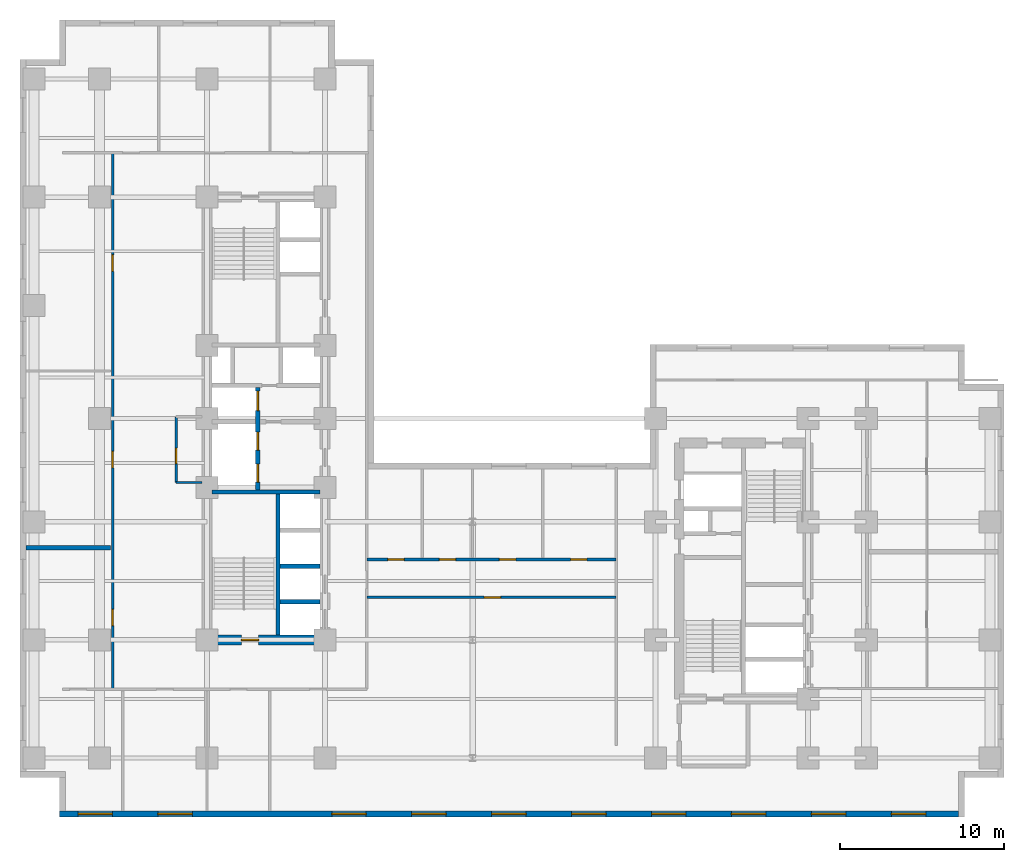
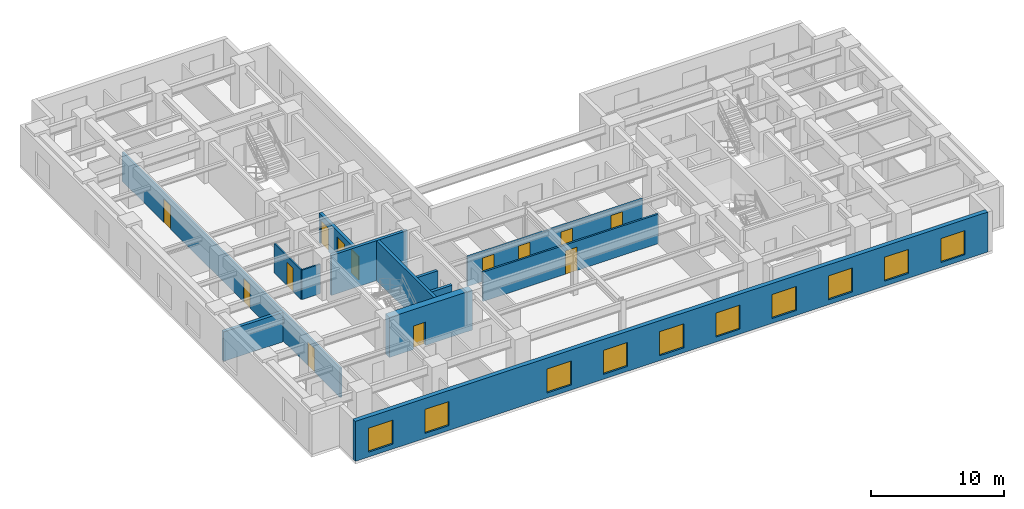
# One storey, part 3 of 9: 13 doors, 13 walls, 10 windows, 23 openings.
"""IFC4 building model written with IfcOpenShell, lengths in metres."""

from ifc_helpers import new_model, entity, si_unit, converted_unit, direction, frame, origin_with_axes, origin_2d_with_axis, place, context, subcontext, project, spatial, polyline, rectangle, outline, extrude, material, layer, layer_set, type_object, element, fill, save


model = new_model("IFC4")

# Units and contexts
model_context = context("Model", 3, precision=1e-05, world=origin_with_axes(), true_north=direction((0.0, 1.0)))
body_context = subcontext(model_context, "Body", "Model", "MODEL_VIEW")
ifc_project = project(units=[si_unit("LENGTHUNIT", "METRE"), si_unit("AREAUNIT", "SQUARE_METRE"), si_unit("VOLUMEUNIT", "CUBIC_METRE"), converted_unit("PLANEANGLEUNIT", "DEGREE", entity("IfcPlaneAngleMeasure", 0.017453292519943295), si_unit("PLANEANGLEUNIT", "RADIAN"), dimensions=[0, 0, 0, 0, 0, 0, 0]), si_unit("MASSUNIT", "GRAM", prefix="KILO"), si_unit("THERMODYNAMICTEMPERATUREUNIT", "KELVIN")], contexts=[model_context])

# Site, building, storey
site_placement = place(None, origin_with_axes())
site = spatial("IfcSite", under=ifc_project, at=site_placement, CompositionType="ELEMENT")
building_placement = place(site_placement, origin_with_axes())
building = spatial("IfcBuilding", under=site, at=building_placement, Name="Varnlund Millrace Tower", CompositionType="ELEMENT")
storey_placement = place(building_placement, frame((0.0, 0.0, 71.7), z_axis=(0.0, 0.0, 1.0), x_axis=(1.0, 0.0, 0.0)))
storey = spatial("IfcBuildingStorey", under=building, at=storey_placement, Name="L17", CompositionType="ELEMENT", Elevation=71.7)

# Wall, opening, door
ifc_material_1 = material(Name="Concrete C80/95", Category="concrete")
ifc_layer_1 = layer(ifc_material_1, 0.6, Name="Concrete C80/95")
ifc_layer_set_1 = layer_set([ifc_layer_1], Name="Concrete C80/95")
wall_type_1 = type_object("IfcWallType", Name="Type-CoreWall-Shear-600-C80", PredefinedType="SHEAR", material=ifc_layer_set_1)
wall_1_placement = place(storey_placement, frame((11.4, 10.8, 0.0), z_axis=(0.0, 0.0, 1.0), x_axis=(1.0, 0.0, 0.0)))
wall_1 = element("IfcWall", 1, at=wall_1_placement, inside=storey, type_object=wall_type_1, Name="Type-CoreWall-Shear-600-C80", PredefinedType="SHEAR", context=body_context, shape_type="SweptSolid", body=[
    extrude(outline(polyline([(0.0, -0.3), (7.2, -0.3), (7.2, 0.3), (0.0, 0.3), (0.0, -0.3)])), origin_with_axes(), (0.0, 0.0, 1.0), 3.66),
])
opening_1_placement = place(wall_1_placement, frame((2.625, 0.0, 0.0), z_axis=(0.0, 0.0, 1.0), x_axis=(1.0, 0.0, 0.0)))
opening_1 = element("IfcOpeningElement", 2, at=opening_1_placement, cuts=wall_1, Name="Opening L17:DR-STA1", PredefinedType="OPENING", context=body_context, shape_type="SweptSolid", body=[
    extrude(rectangle(XDim=1.05, YDim=0.62, at=origin_2d_with_axis()), origin_with_axes(), (0.0, 0.0, 1.0), 2.15),
])
ifc_material_2 = material(Name="Fire-rated hollow steel door", Category="steel")
door_type_1 = type_object("IfcDoorType", Name="Type-FireDoor-Stair-1050X2150", OperationType="NOTDEFINED", PredefinedType="DOOR", material=ifc_material_2)
door_1_placement = place(wall_1_placement, frame((2.625, 0.0, 0.0), z_axis=(0.0, 0.0, 1.0), x_axis=(1.0, 0.0, 0.0)))
door_1 = element("IfcDoor", 3, at=door_1_placement, inside=storey, type_object=door_type_1, Name="Type-FireDoor-Stair-1050X2150", OperationType="SINGLE_SWING_LEFT", OverallHeight=2.15, OverallWidth=1.05, PredefinedType="DOOR", context=body_context, shape_type="SweptSolid", body=[
    extrude(rectangle(XDim=1.05, YDim=0.09, at=origin_2d_with_axis()), origin_with_axes(), (0.0, 0.0, 1.0), 2.15),
])
fill(opening_1, door_1)

# Wall, openings, windows
ifc_material_3 = material(Name="Precast concrete C50/60", Category="concrete")
ifc_layer_2 = layer(ifc_material_3, 0.38, Name="Precast concrete C50/60")
ifc_layer_set_2 = layer_set([ifc_layer_2], Name="Precast concrete C50/60")
wall_type_2 = type_object("IfcWallType", Name="Type-ExtWall-Precast-Tube-380", PredefinedType="SOLIDWALL", material=ifc_layer_set_2)
wall_2_placement = place(storey_placement, frame((57.22, 0.19, 0.0), z_axis=(0.0, 0.0, 1.0), x_axis=(-1.0, 0.0, 0.0)))
wall_2 = element("IfcWall", 4, at=wall_2_placement, inside=storey, type_object=wall_type_2, Name="Type-ExtWall-Precast-Tube-380", PredefinedType="SOLIDWALL", context=body_context, shape_type="SweptSolid", body=[
    extrude(outline(polyline([(0.0, -0.19), (54.82, -0.19), (54.82, 0.19), (0.0, 0.19), (0.0, -0.19)])), origin_with_axes(), (0.0, 0.0, 1.0), 3.66),
])
opening_2_placement = place(wall_2_placement, frame((3.037, 0.0, 0.45), z_axis=(0.0, 0.0, 1.0), x_axis=(1.0, 0.0, 0.0)))
opening_2 = element("IfcOpeningElement", 5, at=opening_2_placement, cuts=wall_2, Name="Opening L17:WN-06", PredefinedType="OPENING", context=body_context, shape_type="SweptSolid", body=[
    extrude(rectangle(XDim=2.1, YDim=0.4, at=origin_2d_with_axis()), origin_with_axes(), (0.0, 0.0, 1.0), 2.2),
])
opening_3_placement = place(wall_2_placement, frame((7.912, 0.0, 0.45), z_axis=(0.0, 0.0, 1.0), x_axis=(1.0, 0.0, 0.0)))
opening_3 = element("IfcOpeningElement", 6, at=opening_3_placement, cuts=wall_2, Name="Opening L17:WN-07", PredefinedType="OPENING", context=body_context, shape_type="SweptSolid", body=[
    extrude(rectangle(XDim=2.1, YDim=0.4, at=origin_2d_with_axis()), origin_with_axes(), (0.0, 0.0, 1.0), 2.2),
])
opening_4_placement = place(wall_2_placement, frame((12.786, 0.0, 0.45), z_axis=(0.0, 0.0, 1.0), x_axis=(1.0, 0.0, 0.0)))
opening_4 = element("IfcOpeningElement", 7, at=opening_4_placement, cuts=wall_2, Name="Opening L17:WN-08", PredefinedType="OPENING", context=body_context, shape_type="SweptSolid", body=[
    extrude(rectangle(XDim=2.1, YDim=0.4, at=origin_2d_with_axis()), origin_with_axes(), (0.0, 0.0, 1.0), 2.2),
])
opening_5_placement = place(wall_2_placement, frame((17.661, 0.0, 0.45), z_axis=(0.0, 0.0, 1.0), x_axis=(1.0, 0.0, 0.0)))
opening_5 = element("IfcOpeningElement", 8, at=opening_5_placement, cuts=wall_2, Name="Opening L17:WN-09", PredefinedType="OPENING", context=body_context, shape_type="SweptSolid", body=[
    extrude(rectangle(XDim=2.1, YDim=0.4, at=origin_2d_with_axis()), origin_with_axes(), (0.0, 0.0, 1.0), 2.2),
])
opening_6_placement = place(wall_2_placement, frame((22.535, 0.0, 0.45), z_axis=(0.0, 0.0, 1.0), x_axis=(1.0, 0.0, 0.0)))
opening_6 = element("IfcOpeningElement", 9, at=opening_6_placement, cuts=wall_2, Name="Opening L17:WN-10", PredefinedType="OPENING", context=body_context, shape_type="SweptSolid", body=[
    extrude(rectangle(XDim=2.1, YDim=0.4, at=origin_2d_with_axis()), origin_with_axes(), (0.0, 0.0, 1.0), 2.2),
])
opening_7_placement = place(wall_2_placement, frame((27.41, 0.0, 0.45), z_axis=(0.0, 0.0, 1.0), x_axis=(1.0, 0.0, 0.0)))
opening_7 = element("IfcOpeningElement", 10, at=opening_7_placement, cuts=wall_2, Name="Opening L17:WN-11", PredefinedType="OPENING", context=body_context, shape_type="SweptSolid", body=[
    extrude(rectangle(XDim=2.1, YDim=0.4, at=origin_2d_with_axis()), origin_with_axes(), (0.0, 0.0, 1.0), 2.2),
])
opening_8_placement = place(wall_2_placement, frame((32.285, 0.0, 0.45), z_axis=(0.0, 0.0, 1.0), x_axis=(1.0, 0.0, 0.0)))
opening_8 = element("IfcOpeningElement", 11, at=opening_8_placement, cuts=wall_2, Name="Opening L17:WN-12", PredefinedType="OPENING", context=body_context, shape_type="SweptSolid", body=[
    extrude(rectangle(XDim=2.1, YDim=0.4, at=origin_2d_with_axis()), origin_with_axes(), (0.0, 0.0, 1.0), 2.2),
])
opening_9_placement = place(wall_2_placement, frame((37.159, 0.0, 0.45), z_axis=(0.0, 0.0, 1.0), x_axis=(1.0, 0.0, 0.0)))
opening_9 = element("IfcOpeningElement", 12, at=opening_9_placement, cuts=wall_2, Name="Opening L17:WN-13", PredefinedType="OPENING", context=body_context, shape_type="SweptSolid", body=[
    extrude(rectangle(XDim=2.1, YDim=0.4, at=origin_2d_with_axis()), origin_with_axes(), (0.0, 0.0, 1.0), 2.2),
])
opening_10_placement = place(wall_2_placement, frame((47.758, 0.0, 0.45), z_axis=(0.0, 0.0, 1.0), x_axis=(1.0, 0.0, 0.0)))
opening_10 = element("IfcOpeningElement", 13, at=opening_10_placement, cuts=wall_2, Name="Opening L17:WN-14", PredefinedType="OPENING", context=body_context, shape_type="SweptSolid", body=[
    extrude(rectangle(XDim=2.1, YDim=0.4, at=origin_2d_with_axis()), origin_with_axes(), (0.0, 0.0, 1.0), 2.2),
])
opening_11_placement = place(wall_2_placement, frame((52.633, 0.0, 0.45), z_axis=(0.0, 0.0, 1.0), x_axis=(1.0, 0.0, 0.0)))
opening_11 = element("IfcOpeningElement", 14, at=opening_11_placement, cuts=wall_2, Name="Opening L17:WN-15", PredefinedType="OPENING", context=body_context, shape_type="SweptSolid", body=[
    extrude(rectangle(XDim=2.1, YDim=0.4, at=origin_2d_with_axis()), origin_with_axes(), (0.0, 0.0, 1.0), 2.2),
])
ifc_material_4 = material(Name="Argon low-e triple glazing in thermally broken bronze frame", Category="glass")
window_type = type_object("IfcWindowType", Name="Type-Window-Punched-2100X2200", PartitioningType="SINGLE_PANEL", PredefinedType="WINDOW", material=ifc_material_4)
window_1_placement = place(wall_2_placement, frame((3.037, 0.0, 0.45), z_axis=(0.0, 0.0, 1.0), x_axis=(1.0, 0.0, 0.0)))
window_1 = element("IfcWindow", 15, at=window_1_placement, inside=storey, type_object=window_type, Name="Type-Window-Punched-2100X2200", OverallHeight=2.2, OverallWidth=2.1, PredefinedType="WINDOW", context=body_context, shape_type="SweptSolid", body=[
    extrude(rectangle(XDim=2.1, YDim=0.09, at=origin_2d_with_axis()), origin_with_axes(), (0.0, 0.0, 1.0), 2.2),
])
fill(opening_2, window_1)
window_2_placement = place(wall_2_placement, frame((7.912, 0.0, 0.45), z_axis=(0.0, 0.0, 1.0), x_axis=(1.0, 0.0, 0.0)))
window_2 = element("IfcWindow", 16, at=window_2_placement, inside=storey, type_object=window_type, Name="Type-Window-Punched-2100X2200", OverallHeight=2.2, OverallWidth=2.1, PredefinedType="WINDOW", context=body_context, shape_type="SweptSolid", body=[
    extrude(rectangle(XDim=2.1, YDim=0.09, at=origin_2d_with_axis()), origin_with_axes(), (0.0, 0.0, 1.0), 2.2),
])
fill(opening_3, window_2)
window_3_placement = place(wall_2_placement, frame((12.786, 0.0, 0.45), z_axis=(0.0, 0.0, 1.0), x_axis=(1.0, 0.0, 0.0)))
window_3 = element("IfcWindow", 17, at=window_3_placement, inside=storey, type_object=window_type, Name="Type-Window-Punched-2100X2200", OverallHeight=2.2, OverallWidth=2.1, PredefinedType="WINDOW", context=body_context, shape_type="SweptSolid", body=[
    extrude(rectangle(XDim=2.1, YDim=0.09, at=origin_2d_with_axis()), origin_with_axes(), (0.0, 0.0, 1.0), 2.2),
])
fill(opening_4, window_3)
window_4_placement = place(wall_2_placement, frame((17.661, 0.0, 0.45), z_axis=(0.0, 0.0, 1.0), x_axis=(1.0, 0.0, 0.0)))
window_4 = element("IfcWindow", 18, at=window_4_placement, inside=storey, type_object=window_type, Name="Type-Window-Punched-2100X2200", OverallHeight=2.2, OverallWidth=2.1, PredefinedType="WINDOW", context=body_context, shape_type="SweptSolid", body=[
    extrude(rectangle(XDim=2.1, YDim=0.09, at=origin_2d_with_axis()), origin_with_axes(), (0.0, 0.0, 1.0), 2.2),
])
fill(opening_5, window_4)
window_5_placement = place(wall_2_placement, frame((22.535, 0.0, 0.45), z_axis=(0.0, 0.0, 1.0), x_axis=(1.0, 0.0, 0.0)))
window_5 = element("IfcWindow", 19, at=window_5_placement, inside=storey, type_object=window_type, Name="Type-Window-Punched-2100X2200", OverallHeight=2.2, OverallWidth=2.1, PredefinedType="WINDOW", context=body_context, shape_type="SweptSolid", body=[
    extrude(rectangle(XDim=2.1, YDim=0.09, at=origin_2d_with_axis()), origin_with_axes(), (0.0, 0.0, 1.0), 2.2),
])
fill(opening_6, window_5)
window_6_placement = place(wall_2_placement, frame((27.41, 0.0, 0.45), z_axis=(0.0, 0.0, 1.0), x_axis=(1.0, 0.0, 0.0)))
window_6 = element("IfcWindow", 20, at=window_6_placement, inside=storey, type_object=window_type, Name="Type-Window-Punched-2100X2200", OverallHeight=2.2, OverallWidth=2.1, PredefinedType="WINDOW", context=body_context, shape_type="SweptSolid", body=[
    extrude(rectangle(XDim=2.1, YDim=0.09, at=origin_2d_with_axis()), origin_with_axes(), (0.0, 0.0, 1.0), 2.2),
])
fill(opening_7, window_6)
window_7_placement = place(wall_2_placement, frame((32.285, 0.0, 0.45), z_axis=(0.0, 0.0, 1.0), x_axis=(1.0, 0.0, 0.0)))
window_7 = element("IfcWindow", 21, at=window_7_placement, inside=storey, type_object=window_type, Name="Type-Window-Punched-2100X2200", OverallHeight=2.2, OverallWidth=2.1, PredefinedType="WINDOW", context=body_context, shape_type="SweptSolid", body=[
    extrude(rectangle(XDim=2.1, YDim=0.09, at=origin_2d_with_axis()), origin_with_axes(), (0.0, 0.0, 1.0), 2.2),
])
fill(opening_8, window_7)
window_8_placement = place(wall_2_placement, frame((37.159, 0.0, 0.45), z_axis=(0.0, 0.0, 1.0), x_axis=(1.0, 0.0, 0.0)))
window_8 = element("IfcWindow", 22, at=window_8_placement, inside=storey, type_object=window_type, Name="Type-Window-Punched-2100X2200", OverallHeight=2.2, OverallWidth=2.1, PredefinedType="WINDOW", context=body_context, shape_type="SweptSolid", body=[
    extrude(rectangle(XDim=2.1, YDim=0.09, at=origin_2d_with_axis()), origin_with_axes(), (0.0, 0.0, 1.0), 2.2),
])
fill(opening_9, window_8)
window_9_placement = place(wall_2_placement, frame((47.758, 0.0, 0.45), z_axis=(0.0, 0.0, 1.0), x_axis=(1.0, 0.0, 0.0)))
window_9 = element("IfcWindow", 23, at=window_9_placement, inside=storey, type_object=window_type, Name="Type-Window-Punched-2100X2200", OverallHeight=2.2, OverallWidth=2.1, PredefinedType="WINDOW", context=body_context, shape_type="SweptSolid", body=[
    extrude(rectangle(XDim=2.1, YDim=0.09, at=origin_2d_with_axis()), origin_with_axes(), (0.0, 0.0, 1.0), 2.2),
])
fill(opening_10, window_9)
window_10_placement = place(wall_2_placement, frame((52.633, 0.0, 0.45), z_axis=(0.0, 0.0, 1.0), x_axis=(1.0, 0.0, 0.0)))
window_10 = element("IfcWindow", 24, at=window_10_placement, inside=storey, type_object=window_type, Name="Type-Window-Punched-2100X2200", OverallHeight=2.2, OverallWidth=2.1, PredefinedType="WINDOW", context=body_context, shape_type="SweptSolid", body=[
    extrude(rectangle(XDim=2.1, YDim=0.09, at=origin_2d_with_axis()), origin_with_axes(), (0.0, 0.0, 1.0), 2.2),
])
fill(opening_11, window_10)

# Wall
ifc_material_5 = material(Name="Double-stud STC-60 conference acoustic partition", Category="gypsum")
ifc_layer_3 = layer(ifc_material_5, 0.28, Name="Double-stud STC-60 conference acoustic partition")
ifc_layer_set_3 = layer_set([ifc_layer_3], Name="Double-stud STC-60 conference acoustic partition")
wall_type_3 = type_object("IfcWallType", Name="Type-Partition-Acoustic-280", PredefinedType="PARTITIONING", material=ifc_layer_set_3)
wall_3_placement = place(storey_placement, frame((0.375, 16.408, 0.0), z_axis=(0.0, 0.0, 1.0), x_axis=(1.0, 0.0, 0.0)))
element("IfcWall", 25, at=wall_3_placement, inside=storey, type_object=wall_type_3, Name="Type-Partition-Acoustic-280", PredefinedType="PARTITIONING", context=body_context, shape_type="SweptSolid", body=[
    extrude(outline(polyline([(0.0, -0.14), (5.155, -0.14), (5.155, 0.14), (0.0, 0.14), (0.0, -0.14)])), origin_with_axes(), (0.0, 0.0, 1.0), 2.7),
])

# Wall, openings, doors
ifc_material_6 = material(Name="Fire-rated gypsum board on cold-formed steel framing", Category="steel")
ifc_layer_4 = layer(ifc_material_6, 0.16, Name="Fire-rated gypsum board on cold-formed steel framing")
ifc_layer_set_4 = layer_set([ifc_layer_4], Name="Fire-rated gypsum board on cold-formed steel framing")
wall_type_4 = type_object("IfcWallType", Name="Type-Partition-Corridor-160", PredefinedType="PARTITIONING", material=ifc_layer_set_4)
wall_4_placement = place(storey_placement, frame((5.65, 7.8, 0.0), z_axis=(0.0, 0.0, 1.0), x_axis=(0.0, 1.0, 0.0)))
wall_4 = element("IfcWall", 26, at=wall_4_placement, inside=storey, type_object=wall_type_4, Name="Type-Partition-Corridor-160", PredefinedType="PARTITIONING", context=body_context, shape_type="SweptSolid", body=[
    extrude(outline(polyline([(0.0, -0.08), (32.7, -0.08), (32.7, 0.08), (0.0, 0.08), (0.0, -0.08)])), origin_with_axes(), (0.0, 0.0, 1.0), 2.7),
])
opening_12_placement = place(wall_4_placement, frame((4.369, 0.0, 0.0), z_axis=(0.0, 0.0, 1.0), x_axis=(1.0, 0.0, 0.0)))
opening_12 = element("IfcOpeningElement", 27, at=opening_12_placement, cuts=wall_4, Name="Opening L17:DR-W-01", PredefinedType="OPENING", context=body_context, shape_type="SweptSolid", body=[
    extrude(rectangle(XDim=1.0, YDim=0.18, at=origin_2d_with_axis()), origin_with_axes(), (0.0, 0.0, 1.0), 2.15),
])
opening_13_placement = place(wall_4_placement, frame((13.998, 0.0, 0.0), z_axis=(0.0, 0.0, 1.0), x_axis=(1.0, 0.0, 0.0)))
opening_13 = element("IfcOpeningElement", 28, at=opening_13_placement, cuts=wall_4, Name="Opening L17:DR-W-02", PredefinedType="OPENING", context=body_context, shape_type="SweptSolid", body=[
    extrude(rectangle(XDim=1.0, YDim=0.18, at=origin_2d_with_axis()), origin_with_axes(), (0.0, 0.0, 1.0), 2.15),
])
opening_14_placement = place(wall_4_placement, frame((25.979, 0.0, 0.0), z_axis=(0.0, 0.0, 1.0), x_axis=(1.0, 0.0, 0.0)))
opening_14 = element("IfcOpeningElement", 29, at=opening_14_placement, cuts=wall_4, Name="Opening L17:DR-W-03", PredefinedType="OPENING", context=body_context, shape_type="SweptSolid", body=[
    extrude(rectangle(XDim=1.0, YDim=0.18, at=origin_2d_with_axis()), origin_with_axes(), (0.0, 0.0, 1.0), 2.15),
])
ifc_material_7 = material(Name="Solid-core white oak and bronze frame door")
door_type_2 = type_object("IfcDoorType", Name="Type-IntDoor-Office-1000X2150", OperationType="NOTDEFINED", PredefinedType="DOOR", material=ifc_material_7)
door_2_placement = place(wall_4_placement, frame((4.369, 0.0, 0.0), z_axis=(0.0, 0.0, 1.0), x_axis=(1.0, 0.0, 0.0)))
door_2 = element("IfcDoor", 30, at=door_2_placement, inside=storey, type_object=door_type_2, Name="Type-IntDoor-Office-1000X2150", OperationType="SINGLE_SWING_LEFT", OverallHeight=2.15, OverallWidth=1.0, PredefinedType="DOOR", context=body_context, shape_type="SweptSolid", body=[
    extrude(rectangle(XDim=1.0, YDim=0.09, at=origin_2d_with_axis()), origin_with_axes(), (0.0, 0.0, 1.0), 2.15),
])
fill(opening_12, door_2)
door_3_placement = place(wall_4_placement, frame((13.998, 0.0, 0.0), z_axis=(0.0, 0.0, 1.0), x_axis=(1.0, 0.0, 0.0)))
door_3 = element("IfcDoor", 31, at=door_3_placement, inside=storey, type_object=door_type_2, Name="Type-IntDoor-Office-1000X2150", OperationType="SINGLE_SWING_RIGHT", OverallHeight=2.15, OverallWidth=1.0, PredefinedType="DOOR", context=body_context, shape_type="SweptSolid", body=[
    extrude(rectangle(XDim=1.0, YDim=0.09, at=origin_2d_with_axis()), origin_with_axes(), (0.0, 0.0, 1.0), 2.15),
])
fill(opening_13, door_3)
door_4_placement = place(wall_4_placement, frame((25.979, 0.0, 0.0), z_axis=(0.0, 0.0, 1.0), x_axis=(1.0, 0.0, 0.0)))
door_4 = element("IfcDoor", 32, at=door_4_placement, inside=storey, type_object=door_type_2, Name="Type-IntDoor-Office-1000X2150", OperationType="SINGLE_SWING_LEFT", OverallHeight=2.15, OverallWidth=1.0, PredefinedType="DOOR", context=body_context, shape_type="SweptSolid", body=[
    extrude(rectangle(XDim=1.0, YDim=0.09, at=origin_2d_with_axis()), origin_with_axes(), (0.0, 0.0, 1.0), 2.15),
])
fill(opening_14, door_4)

# Wall, opening, door
wall_5_placement = place(storey_placement, frame((21.15, 13.4, 0.0), z_axis=(0.0, 0.0, 1.0), x_axis=(1.0, 0.0, 0.0)))
wall_5 = element("IfcWall", 33, at=wall_5_placement, inside=storey, type_object=wall_type_4, Name="Type-Partition-Corridor-160", PredefinedType="PARTITIONING", context=body_context, shape_type="SweptSolid", body=[
    extrude(outline(polyline([(0.0, -0.08), (15.2, -0.08), (15.2, 0.08), (0.0, 0.08), (0.0, -0.08)])), origin_with_axes(), (0.0, 0.0, 1.0), 2.7),
])
opening_15_placement = place(wall_5_placement, frame((7.65, 0.0, 0.0), z_axis=(0.0, 0.0, 1.0), x_axis=(1.0, 0.0, 0.0)))
opening_15 = element("IfcOpeningElement", 34, at=opening_15_placement, cuts=wall_5, Name="Opening L17:DR-KNS-01", PredefinedType="OPENING", context=body_context, shape_type="SweptSolid", body=[
    extrude(rectangle(XDim=1.0, YDim=0.18, at=origin_2d_with_axis()), origin_with_axes(), (0.0, 0.0, 1.0), 2.15),
])
door_5_placement = place(wall_5_placement, frame((7.65, 0.0, 0.0), z_axis=(0.0, 0.0, 1.0), x_axis=(1.0, 0.0, 0.0)))
door_5 = element("IfcDoor", 35, at=door_5_placement, inside=storey, type_object=door_type_2, Name="Type-IntDoor-Office-1000X2150", OperationType="SINGLE_SWING_LEFT", OverallHeight=2.15, OverallWidth=1.0, PredefinedType="DOOR", context=body_context, shape_type="SweptSolid", body=[
    extrude(rectangle(XDim=1.0, YDim=0.09, at=origin_2d_with_axis()), origin_with_axes(), (0.0, 0.0, 1.0), 2.15),
])
fill(opening_15, door_5)

# Wall, openings, doors
wall_6_placement = place(storey_placement, frame((21.15, 15.7, 0.0), z_axis=(0.0, 0.0, 1.0), x_axis=(1.0, 0.0, 0.0)))
wall_6 = element("IfcWall", 36, at=wall_6_placement, inside=storey, type_object=wall_type_4, Name="Type-Partition-Corridor-160", PredefinedType="PARTITIONING", context=body_context, shape_type="SweptSolid", body=[
    extrude(outline(polyline([(0.0, -0.08), (15.2, -0.08), (15.2, 0.08), (0.0, 0.08), (0.0, -0.08)])), origin_with_axes(), (0.0, 0.0, 1.0), 2.7),
])
opening_16_placement = place(wall_6_placement, frame((1.7795, 0.0, 0.0), z_axis=(0.0, 0.0, 1.0), x_axis=(1.0, 0.0, 0.0)))
opening_16 = element("IfcOpeningElement", 37, at=opening_16_placement, cuts=wall_6, Name="Opening L17:DR-KN-01", PredefinedType="OPENING", context=body_context, shape_type="SweptSolid", body=[
    extrude(rectangle(XDim=1.0, YDim=0.18, at=origin_2d_with_axis()), origin_with_axes(), (0.0, 0.0, 1.0), 2.15),
])
opening_17_placement = place(wall_6_placement, frame((4.9145, 0.0, 0.0), z_axis=(0.0, 0.0, 1.0), x_axis=(1.0, 0.0, 0.0)))
opening_17 = element("IfcOpeningElement", 38, at=opening_17_placement, cuts=wall_6, Name="Opening L17:DR-KN-02", PredefinedType="OPENING", context=body_context, shape_type="SweptSolid", body=[
    extrude(rectangle(XDim=1.0, YDim=0.18, at=origin_2d_with_axis()), origin_with_axes(), (0.0, 0.0, 1.0), 2.15),
])
opening_18_placement = place(wall_6_placement, frame((8.5825, 0.0, 0.0), z_axis=(0.0, 0.0, 1.0), x_axis=(1.0, 0.0, 0.0)))
opening_18 = element("IfcOpeningElement", 39, at=opening_18_placement, cuts=wall_6, Name="Opening L17:DR-KN-03", PredefinedType="OPENING", context=body_context, shape_type="SweptSolid", body=[
    extrude(rectangle(XDim=1.0, YDim=0.18, at=origin_2d_with_axis()), origin_with_axes(), (0.0, 0.0, 1.0), 2.15),
])
opening_19_placement = place(wall_6_placement, frame((12.9175, 0.0, 0.0), z_axis=(0.0, 0.0, 1.0), x_axis=(1.0, 0.0, 0.0)))
opening_19 = element("IfcOpeningElement", 40, at=opening_19_placement, cuts=wall_6, Name="Opening L17:DR-KN-04", PredefinedType="OPENING", context=body_context, shape_type="SweptSolid", body=[
    extrude(rectangle(XDim=1.0, YDim=0.18, at=origin_2d_with_axis()), origin_with_axes(), (0.0, 0.0, 1.0), 2.15),
])
door_6_placement = place(wall_6_placement, frame((1.7795, 0.0, 0.0), z_axis=(0.0, 0.0, 1.0), x_axis=(1.0, 0.0, 0.0)))
door_6 = element("IfcDoor", 41, at=door_6_placement, inside=storey, type_object=door_type_2, Name="Type-IntDoor-Office-1000X2150", OperationType="SINGLE_SWING_LEFT", OverallHeight=2.15, OverallWidth=1.0, PredefinedType="DOOR", context=body_context, shape_type="SweptSolid", body=[
    extrude(rectangle(XDim=1.0, YDim=0.09, at=origin_2d_with_axis()), origin_with_axes(), (0.0, 0.0, 1.0), 2.15),
])
fill(opening_16, door_6)
door_7_placement = place(wall_6_placement, frame((4.9145, 0.0, 0.0), z_axis=(0.0, 0.0, 1.0), x_axis=(1.0, 0.0, 0.0)))
door_7 = element("IfcDoor", 42, at=door_7_placement, inside=storey, type_object=door_type_2, Name="Type-IntDoor-Office-1000X2150", OperationType="SINGLE_SWING_RIGHT", OverallHeight=2.15, OverallWidth=1.0, PredefinedType="DOOR", context=body_context, shape_type="SweptSolid", body=[
    extrude(rectangle(XDim=1.0, YDim=0.09, at=origin_2d_with_axis()), origin_with_axes(), (0.0, 0.0, 1.0), 2.15),
])
fill(opening_17, door_7)
door_8_placement = place(wall_6_placement, frame((8.5825, 0.0, 0.0), z_axis=(0.0, 0.0, 1.0), x_axis=(1.0, 0.0, 0.0)))
door_8 = element("IfcDoor", 43, at=door_8_placement, inside=storey, type_object=door_type_2, Name="Type-IntDoor-Office-1000X2150", OperationType="SINGLE_SWING_LEFT", OverallHeight=2.15, OverallWidth=1.0, PredefinedType="DOOR", context=body_context, shape_type="SweptSolid", body=[
    extrude(rectangle(XDim=1.0, YDim=0.09, at=origin_2d_with_axis()), origin_with_axes(), (0.0, 0.0, 1.0), 2.15),
])
fill(opening_18, door_8)
door_9_placement = place(wall_6_placement, frame((12.9175, 0.0, 0.0), z_axis=(0.0, 0.0, 1.0), x_axis=(1.0, 0.0, 0.0)))
door_9 = element("IfcDoor", 44, at=door_9_placement, inside=storey, type_object=door_type_2, Name="Type-IntDoor-Office-1000X2150", OperationType="SINGLE_SWING_RIGHT", OverallHeight=2.15, OverallWidth=1.0, PredefinedType="DOOR", context=body_context, shape_type="SweptSolid", body=[
    extrude(rectangle(XDim=1.0, YDim=0.09, at=origin_2d_with_axis()), origin_with_axes(), (0.0, 0.0, 1.0), 2.15),
])
fill(opening_19, door_9)

# Wall, opening, door
ifc_material_8 = material(Name="Moisture-resistant gypsum restroom partition", Category="gypsum")
ifc_layer_5 = layer(ifc_material_8, 0.14, Name="Moisture-resistant gypsum restroom partition")
ifc_layer_set_5 = layer_set([ifc_layer_5], Name="Moisture-resistant gypsum restroom partition")
wall_type_5 = type_object("IfcWallType", Name="Type-Partition-Wet-140", PredefinedType="PARTITIONING", material=ifc_layer_set_5)
wall_7_placement = place(storey_placement, frame((9.52, 20.4, 0.0), z_axis=(0.0, 0.0, 1.0), x_axis=(0.0, 1.0, 0.0)))
wall_7 = element("IfcWall", 45, at=wall_7_placement, inside=storey, type_object=wall_type_5, Name="Type-Partition-Wet-140", PredefinedType="PARTITIONING", context=body_context, shape_type="SweptSolid", body=[
    extrude(outline(polyline([(0.0, -0.07), (4.0, -0.07), (4.0, 0.07), (0.0, 0.07), (0.0, -0.07)])), origin_with_axes(), (0.0, 0.0, 1.0), 2.7),
])
opening_20_placement = place(wall_7_placement, frame((1.625, 0.0, 0.0), z_axis=(0.0, 0.0, 1.0), x_axis=(1.0, 0.0, 0.0)))
opening_20 = element("IfcOpeningElement", 46, at=opening_20_placement, cuts=wall_7, Name="Opening L17:DR-CA-WCW", PredefinedType="OPENING", context=body_context, shape_type="SweptSolid", body=[
    extrude(rectangle(XDim=0.95, YDim=0.16, at=origin_2d_with_axis()), origin_with_axes(), (0.0, 0.0, 1.0), 2.15),
])
ifc_material_9 = material(Name="Solid-core acoustic office door")
door_type_3 = type_object("IfcDoorType", Name="Type-IntDoor-Tenant-950X2150", OperationType="NOTDEFINED", PredefinedType="DOOR", material=ifc_material_9)
door_10_placement = place(wall_7_placement, frame((1.625, 0.0, 0.0), z_axis=(0.0, 0.0, 1.0), x_axis=(1.0, 0.0, 0.0)))
door_10 = element("IfcDoor", 47, at=door_10_placement, inside=storey, type_object=door_type_3, Name="Type-IntDoor-Tenant-950X2150", OperationType="SINGLE_SWING_LEFT", OverallHeight=2.15, OverallWidth=0.95, PredefinedType="DOOR", context=body_context, shape_type="SweptSolid", body=[
    extrude(rectangle(XDim=0.95, YDim=0.084, at=origin_2d_with_axis()), origin_with_axes(), (0.0, 0.0, 1.0), 2.15),
])
fill(opening_20, door_10)

# Wall
wall_8_placement = place(storey_placement, frame((9.52, 20.4, 0.0), z_axis=(0.0, 0.0, 1.0), x_axis=(1.0, 0.0, 0.0)))
element("IfcWall", 48, at=wall_8_placement, inside=storey, type_object=wall_type_5, Name="Type-Partition-Wet-140", PredefinedType="PARTITIONING", context=body_context, shape_type="SweptSolid", body=[
    extrude(outline(polyline([(0.0, -0.07), (1.58, -0.07), (1.58, 0.07), (0.0, 0.07), (0.0, -0.07)])), origin_with_axes(), (0.0, 0.0, 1.0), 2.7),
])

# Wall, openings, doors
ifc_material_10 = material(Name="Concrete C60/75", Category="concrete")
ifc_layer_6 = layer(ifc_material_10, 0.25, Name="Concrete C60/75")
ifc_layer_set_6 = layer_set([ifc_layer_6], Name="Concrete C60/75")
wall_type_6 = type_object("IfcWallType", Name="Type-ShaftWall-Fire-250", PredefinedType="SOLIDWALL", material=ifc_layer_set_6)
wall_9_placement = place(storey_placement, frame((14.5, 19.95, 0.0), z_axis=(0.0, 0.0, 1.0), x_axis=(0.0, 1.0, 0.0)))
wall_9 = element("IfcWall", 49, at=wall_9_placement, inside=storey, type_object=wall_type_6, Name="Type-ShaftWall-Fire-250", PredefinedType="SOLIDWALL", context=body_context, shape_type="SweptSolid", body=[
    extrude(outline(polyline([(0.0, -0.125), (6.25, -0.125), (6.25, 0.125), (0.0, 0.125), (0.0, -0.125)])), origin_with_axes(), (0.0, 0.0, 1.0), 2.7),
])
opening_21_placement = place(wall_9_placement, frame((1.025, 0.0, 0.0), z_axis=(0.0, 0.0, 1.0), x_axis=(1.0, 0.0, 0.0)))
opening_21 = element("IfcOpeningElement", 50, at=opening_21_placement, cuts=wall_9, Name="Opening L17:LD-FSAE1", PredefinedType="OPENING", context=body_context, shape_type="SweptSolid", body=[
    extrude(rectangle(XDim=1.1, YDim=0.27, at=origin_2d_with_axis()), origin_with_axes(), (0.0, 0.0, 1.0), 2.15),
])
opening_22_placement = place(wall_9_placement, frame((2.975, 0.0, 0.0), z_axis=(0.0, 0.0, 1.0), x_axis=(1.0, 0.0, 0.0)))
opening_22 = element("IfcOpeningElement", 51, at=opening_22_placement, cuts=wall_9, Name="Opening L17:LD-FSAE2", PredefinedType="OPENING", context=body_context, shape_type="SweptSolid", body=[
    extrude(rectangle(XDim=1.1, YDim=0.27, at=origin_2d_with_axis()), origin_with_axes(), (0.0, 0.0, 1.0), 2.15),
])
opening_23_placement = place(wall_9_placement, frame((5.425, 0.0, 0.0), z_axis=(0.0, 0.0, 1.0), x_axis=(1.0, 0.0, 0.0)))
opening_23 = element("IfcOpeningElement", 52, at=opening_23_placement, cuts=wall_9, Name="Opening L17:LD-SRV1", PredefinedType="OPENING", context=body_context, shape_type="SweptSolid", body=[
    extrude(rectangle(XDim=1.2, YDim=0.27, at=origin_2d_with_axis()), origin_with_axes(), (0.0, 0.0, 1.0), 2.15),
])
ifc_material_11 = material(Name="Stainless and architectural bronze sliding landing door")
door_type_4 = type_object("IfcDoorType", Name="Type-LiftLandingDoor-1100X2150", OperationType="NOTDEFINED", PredefinedType="DOOR", material=ifc_material_11)
door_11_placement = place(wall_9_placement, frame((1.025, 0.0, 0.0), z_axis=(0.0, 0.0, 1.0), x_axis=(1.0, 0.0, 0.0)))
door_11 = element("IfcDoor", 53, at=door_11_placement, inside=storey, type_object=door_type_4, Name="Type-LiftLandingDoor-1100X2150", OperationType="SLIDING_TO_LEFT", OverallHeight=2.15, OverallWidth=1.1, PredefinedType="DOOR", context=body_context, shape_type="SweptSolid", body=[
    extrude(rectangle(XDim=1.1, YDim=0.09, at=origin_2d_with_axis()), origin_with_axes(), (0.0, 0.0, 1.0), 2.15),
])
fill(opening_21, door_11)
door_12_placement = place(wall_9_placement, frame((2.975, 0.0, 0.0), z_axis=(0.0, 0.0, 1.0), x_axis=(1.0, 0.0, 0.0)))
door_12 = element("IfcDoor", 54, at=door_12_placement, inside=storey, type_object=door_type_4, Name="Type-LiftLandingDoor-1100X2150", OperationType="SLIDING_TO_RIGHT", OverallHeight=2.15, OverallWidth=1.1, PredefinedType="DOOR", context=body_context, shape_type="SweptSolid", body=[
    extrude(rectangle(XDim=1.1, YDim=0.09, at=origin_2d_with_axis()), origin_with_axes(), (0.0, 0.0, 1.0), 2.15),
])
fill(opening_22, door_12)
ifc_material_12 = material(Name="Heavy-duty freight sliding landing door")
door_type_5 = type_object("IfcDoorType", Name="Type-LiftLandingDoor-Service-1200X2150", OperationType="NOTDEFINED", PredefinedType="DOOR", material=ifc_material_12)
door_13_placement = place(wall_9_placement, frame((5.425, 0.0, 0.0), z_axis=(0.0, 0.0, 1.0), x_axis=(1.0, 0.0, 0.0)))
door_13 = element("IfcDoor", 55, at=door_13_placement, inside=storey, type_object=door_type_5, Name="Type-LiftLandingDoor-Service-1200X2150", OperationType="DOUBLE_DOOR_SLIDING", OverallHeight=2.15, OverallWidth=1.2, PredefinedType="DOOR", context=body_context, shape_type="SweptSolid", body=[
    extrude(rectangle(XDim=1.2, YDim=0.09, at=origin_2d_with_axis()), origin_with_axes(), (0.0, 0.0, 1.0), 2.15),
])
fill(opening_23, door_13)

# Walls
for number, where, z_axis, x_axis, name in (
    (56, (15.84, 13.13, 0.0), (0.0, 0.0, 1.0), (1.0, 0.0, 0.0), "Type-ShaftWall-Fire-250"),
    (57, (15.84, 15.29, 0.0), (0.0, 0.0, 1.0), (1.0, 0.0, 0.0), "Type-ShaftWall-Fire-250"),
):
    element("IfcWall", number, at=place(storey_placement, frame(where, z_axis=z_axis, x_axis=x_axis)), inside=storey, type_object=wall_type_6, Name=name, PredefinedType="SOLIDWALL", context=body_context, shape_type="SweptSolid", body=[
        extrude(outline(polyline([(0.0, -0.125), (2.46, -0.125), (2.46, 0.125), (0.0, 0.125), (0.0, -0.125)])), origin_with_axes(), (0.0, 0.0, 1.0), 2.7),
    ])
wall_type_7 = type_object("IfcWallType", Name="Type-StairWall-Shear-250", PredefinedType="SHEAR", material=ifc_layer_set_6)
wall_10_placement = place(storey_placement, frame((15.725, 11.1, 0.0), z_axis=(0.0, 0.0, 1.0), x_axis=(0.0, 1.0, 0.0)))
element("IfcWall", 58, at=wall_10_placement, inside=storey, type_object=wall_type_7, Name="Type-StairWall-Shear-250", PredefinedType="SHEAR", context=body_context, shape_type="SweptSolid", body=[
    extrude(outline(polyline([(0.0, -0.125), (8.6, -0.125), (8.6, 0.125), (0.0, 0.125), (0.0, -0.125)])), origin_with_axes(), (0.0, 0.0, 1.0), 3.66),
])
wall_11_placement = place(storey_placement, frame((11.7, 19.825, 0.0), z_axis=(0.0, 0.0, 1.0), x_axis=(1.0, 0.0, 0.0)))
element("IfcWall", 59, at=wall_11_placement, inside=storey, type_object=wall_type_7, Name="Type-StairWall-Shear-250", PredefinedType="SHEAR", context=body_context, shape_type="SweptSolid", body=[
    extrude(outline(polyline([(0.0, -0.125), (6.6, -0.125), (6.6, 0.125), (0.0, 0.125), (0.0, -0.125)])), origin_with_axes(), (0.0, 0.0, 1.0), 3.66),
])

save(model, "model.ifc")
